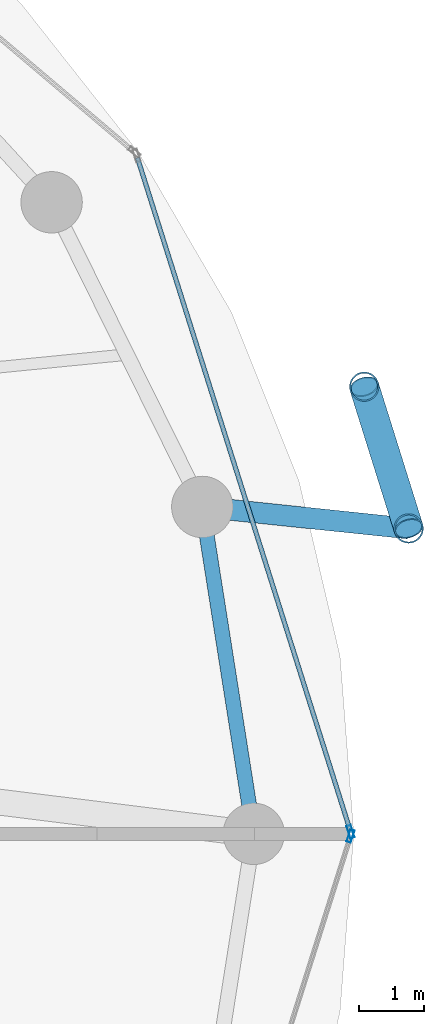
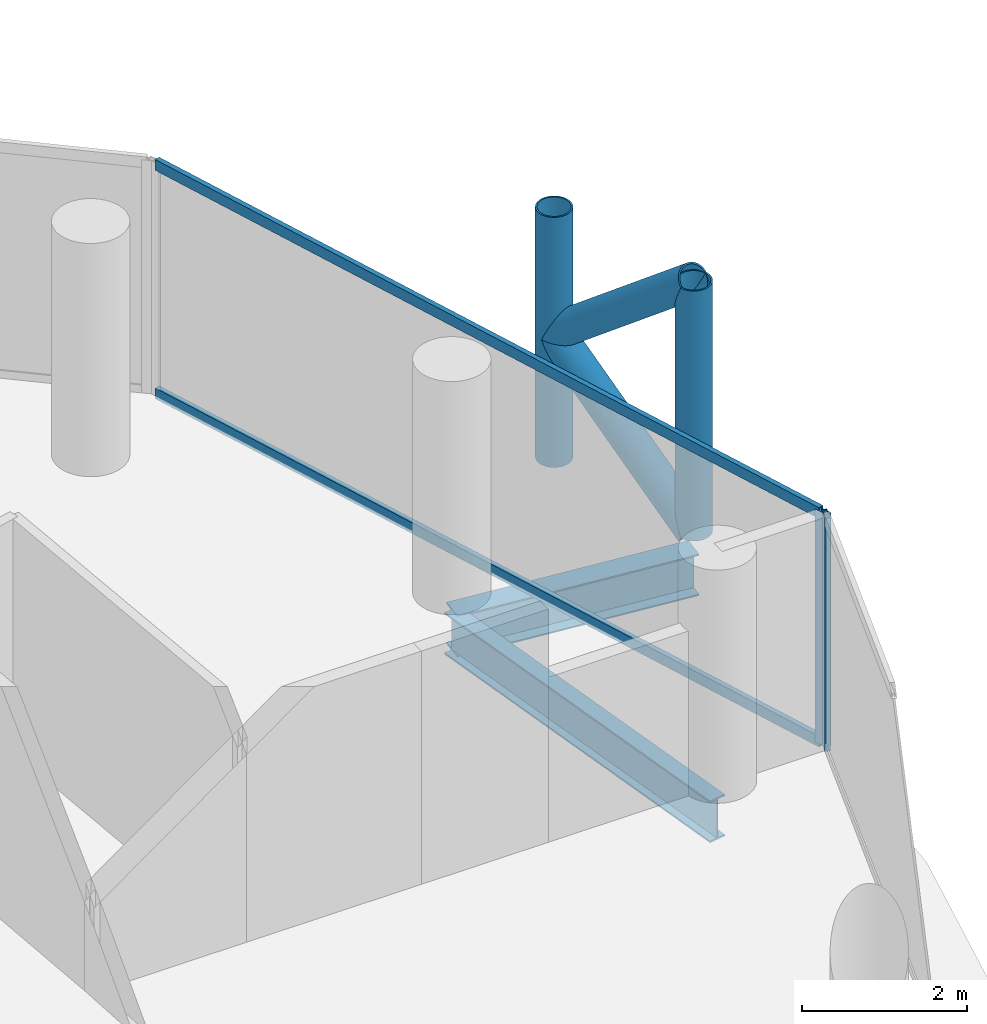
# One storey, part 12 of 26: 8 members, 2 beams, 2 elements without a shape of their own.
"""IFC4 building model written with IfcOpenShell, lengths in metres."""

from ifc_helpers import new_model, si_unit, direction, frame, origin, origin_2d, place, context, subcontext, project, spatial, hollow_rectangle, hollow_circle, i_section, extrude, material, layer, layer_set, material_profile, profile_set, type_object, element, aggregate, save


model = new_model("IFC4")

# Units and contexts
model_context = context("Model", 3, precision=1e-05, world=origin(), true_north=direction((0.0, 1.0)))
body_context = subcontext(model_context, "Body", "Model", "MODEL_VIEW")
ifc_project = project(units=[si_unit("LENGTHUNIT", "METRE"), si_unit("AREAUNIT", "SQUARE_METRE"), si_unit("VOLUMEUNIT", "CUBIC_METRE"), si_unit("PLANEANGLEUNIT", "RADIAN"), si_unit("MASSUNIT", "GRAM", prefix="KILO")], contexts=[model_context])

# Site, building, storey
site_placement = place(None, origin())
site = spatial("IfcSite", under=ifc_project, at=site_placement, CompositionType="ELEMENT")
building_placement = place(site_placement, origin())
building = spatial("IfcBuilding", under=site, at=building_placement, Name="Nuhasar Tower", CompositionType="ELEMENT")
storey_placement = place(building_placement, frame((0.0, 0.0, 177.449951171875)))
storey = spatial("IfcBuildingStorey", under=building, at=storey_placement, Name="L43", CompositionType="ELEMENT", Elevation=177.449951171875)

# Beams
ifc_material_1 = material(Name="Steel S355", Category="steel")
ifc_material_profile_1 = material_profile(ifc_material_1, i_section(OverallWidth=0.22998046875, OverallDepth=0.616943359375, WebThickness=0.01318359375, FlangeThickness=0.022216796875, at=origin_2d()), Name="W24X94")
ifc_profile_set_1 = profile_set([ifc_material_profile_1], Name="Steel S355")
beam_type_1 = type_object("IfcBeamType", Name="BM-RING-W24X94", PredefinedType="SPANDREL", material=ifc_profile_set_1)
beam_1_placement = place(storey_placement, frame((62.35009765625, 26.800048828125, -0.558837890625), z_axis=(-0.155426543608, 0.987847452566, 0.0), x_axis=(-0.987847452566, -0.155426543608, 0.0)))
element("IfcBeam", 1, at=beam_1_placement, inside=storey, type_object=beam_type_1, Name="L43 Perimeter Ring Spandrel 01", PredefinedType="SPANDREL", context=body_context, shape_type="SweptSolid", body=[
    extrude(i_section(OverallWidth=0.22998046875, OverallDepth=0.616943359375, WebThickness=0.01318359375, FlangeThickness=0.022216796875, at=origin_2d()), origin(), (0.0, 0.0, 1.0), 5.122314453125),
])
ifc_material_profile_2 = material_profile(ifc_material_1, i_section(OverallWidth=0.323974609375, OverallDepth=0.611083984375, WebThickness=0.0126953125, FlangeThickness=0.01904296875, at=origin_2d()), Name="W24X104")
ifc_profile_set_2 = profile_set([ifc_material_profile_2], Name="Steel S355")
beam_type_2 = type_object("IfcBeamType", Name="BM-TIE-W24X104", PredefinedType="BEAM", material=ifc_profile_set_2)
beam_2_placement = place(storey_placement, frame((61.553955078125, 31.860107421875, -0.555908203125), z_axis=(0.994569828715, -0.104071397654, 0.0), x_axis=(0.104071397654, 0.994569828715, 0.0)))
element("IfcBeam", 2, at=beam_2_placement, inside=storey, type_object=beam_type_2, Name="L43 Exoskeleton Node Tie Beam 01", PredefinedType="BEAM", context=body_context, shape_type="SweptSolid", body=[
    extrude(i_section(OverallWidth=0.323974609375, OverallDepth=0.611083984375, WebThickness=0.0126953125, FlangeThickness=0.01904296875, at=origin_2d()), origin(), (0.0, 0.0, 1.0), 3.21142578125),
])

# Curtain wall, member
ifc_material_2 = material(Name="Aluminium 6063-T6", Category="aluminium")
ifc_layer = layer(ifc_material_2, 0.199951171875)
ifc_layer_set = layer_set([ifc_layer], Name="Aluminium 6063-T6")
curtain_wall_type = type_object("IfcCurtainWallType", Name="CW-Z2-HTL", PredefinedType="NOTDEFINED", material=ifc_layer_set)
curtain_wall_1_placement = place(storey_placement, origin())
curtain_wall_1 = element("IfcCurtainWall", 3, at=curtain_wall_1_placement, inside=storey, type_object=curtain_wall_type, Name="L43 Unitised Curtain Wall 01", PredefinedType="NOTDEFINED")
ifc_material_profile_3 = material_profile(ifc_material_2, hollow_rectangle(XDim=0.070068359375, YDim=0.199951171875, WallThickness=0.0048828125, at=origin_2d()), Name="CWM-3")
ifc_profile_set_3 = profile_set([ifc_material_profile_3], Name="Aluminium 6063-T6")
member_type_1 = type_object("IfcMemberType", Name="CW-MUL-S3", PredefinedType="MULLION", material=ifc_profile_set_3)
member_1_placement = place(storey_placement, frame((63.849365234375, 26.833251953125, 0.0), z_axis=(0.0, 0.0, 1.0), x_axis=(-0.953433389233, -0.301603667577, 0.0)))
member_1 = element("IfcMember", 4, at=member_1_placement, type_object=member_type_1, Name="CW-Z2 mullion 1", PredefinedType="MULLION", context=body_context, shape_type="SweptSolid", body=[
    extrude(hollow_rectangle(XDim=0.070068359375, YDim=0.199951171875, WallThickness=0.0048828125, at=origin_2d()), origin(), (0.0, 0.0, 1.0), 3.449951171875),
])

curtain_wall_2_placement = place(storey_placement, origin())
curtain_wall_2 = element("IfcCurtainWall", 5, at=curtain_wall_2_placement, inside=storey, type_object=curtain_wall_type, Name="L43 Unitised Curtain Wall 12", PredefinedType="NOTDEFINED")
member_2_placement = place(storey_placement, frame((63.849365234375, 26.7666015625, 0.0), z_axis=(0.0, 0.0, 1.0), x_axis=(-0.953433389233, 0.301603667577, 0.0)))
member_2 = element("IfcMember", 6, at=member_2_placement, type_object=member_type_1, Name="CW-Z2 mullion 2", PredefinedType="MULLION", context=body_context, shape_type="SweptSolid", body=[
    extrude(hollow_rectangle(XDim=0.070068359375, YDim=0.199951171875, WallThickness=0.0048828125, at=origin_2d()), origin(), (0.0, 0.0, 1.0), 3.449951171875),
])
aggregate(curtain_wall_2, [member_2])

# Member
ifc_material_profile_4 = material_profile(ifc_material_2, hollow_rectangle(XDim=0.070068359375, YDim=0.159912109375, WallThickness=0.00439453125, at=origin_2d()), Name="CWT-3")
ifc_profile_set_4 = profile_set([ifc_material_profile_4], Name="Aluminium 6063-T6")
member_type_2 = type_object("IfcMemberType", Name="CW-TRN-S3", PredefinedType="USERDEFINED", material=ifc_profile_set_4)
member_3_placement = place(storey_placement, frame((63.8388671875, 26.86669921875, 0.03515625), z_axis=(-0.301608163352, 0.953431967053, 0.0), x_axis=(-0.953431967053, -0.301608163352, 0.0)))
member_3 = element("IfcMember", 7, at=member_3_placement, type_object=member_type_2, Name="CW-Z2 transom 1.1", ObjectType="TRANSOM", PredefinedType="USERDEFINED", context=body_context, shape_type="SweptSolid", body=[
    extrude(hollow_rectangle(XDim=0.070068359375, YDim=0.159912109375, WallThickness=0.00439453125, at=origin_2d()), origin(), (0.0, 0.0, 1.0), 10.904296875),
])

member_4_placement = place(storey_placement, frame((63.8388671875, 26.86669921875, 3.4150390625), z_axis=(-0.301608163352, 0.953431967053, 0.0), x_axis=(-0.953431967053, -0.301608163352, 0.0)))
member_4 = element("IfcMember", 8, at=member_4_placement, type_object=member_type_2, Name="CW-Z2 transom 1.2", ObjectType="TRANSOM", PredefinedType="USERDEFINED", context=body_context, shape_type="SweptSolid", body=[
    extrude(hollow_rectangle(XDim=0.070068359375, YDim=0.159912109375, WallThickness=0.00439453125, at=origin_2d()), origin(), (0.0, 0.0, 1.0), 10.904296875),
])

aggregate(curtain_wall_1, [member_1, member_3, member_4])

# Members
ifc_material_3 = material(Name="Steel S460", Category="steel")
ifc_material_profile_5 = material_profile(ifc_material_3, hollow_circle(Radius=0.228515625, WallThickness=0.022216796875, at=origin_2d()), Name="HSS457X22.2")
ifc_profile_set_5 = profile_set([ifc_material_profile_5], Name="Steel S460")
member_type_3 = type_object("IfcMemberType", Name="EXO-BRONZE-457", PredefinedType="BRACE", material=ifc_profile_set_5)
for number, where, z_axis, x_axis, name in (
    (9, (64.748046875, 31.52587890625, 0.0), (0.0, 0.0, 1.0), (1.0, 0.0, 0.0), "L43 Exoskeleton Chord Column EC-01A"),
    (10, (64.06005859375, 33.720947265625, 0.0), (0.0, 0.0, 1.0), (1.0, 0.0, 0.0), "L43 Exoskeleton Chord Column EC-01B"),
):
    element("IfcMember", number, at=place(storey_placement, frame(where, z_axis=z_axis, x_axis=x_axis)), inside=storey, type_object=member_type_3, Name=name, PredefinedType="BRACE", context=body_context, shape_type="SweptSolid", body=[
        extrude(hollow_circle(Radius=0.228515625, WallThickness=0.022216796875, at=origin_2d()), origin(), (0.0, 0.0, 1.0), 3.699951171875),
    ])
member_5_placement = place(storey_placement, frame((64.748046875, 31.52587890625, 0.0), z_axis=(-0.233055548538, 0.743577869731, 0.626719285599), x_axis=(-0.954228474306, -0.29907861646, 0.0)))
element("IfcMember", 11, at=member_5_placement, inside=storey, type_object=member_type_3, Name="L43 Bronze Diagrid Brace W1-01", PredefinedType="BRACE", context=body_context, shape_type="SweptSolid", body=[
    extrude(hollow_circle(Radius=0.228515625, WallThickness=0.022216796875, at=origin_2d()), origin(), (0.0, 0.0, 1.0), 2.9521484375),
])
member_6_placement = place(storey_placement, frame((64.06005859375, 33.720947265625, 1.85009765625), z_axis=(0.233067628236, -0.74361641074, 0.626669062861), x_axis=(0.954228474306, 0.29907861646, 0.0)))
element("IfcMember", 12, at=member_6_placement, inside=storey, type_object=member_type_3, Name="L43 Bronze Diagrid Brace W2-01", PredefinedType="BRACE", context=body_context, shape_type="SweptSolid", body=[
    extrude(hollow_circle(Radius=0.228515625, WallThickness=0.022216796875, at=origin_2d()), origin(), (0.0, 0.0, 1.0), 2.951904296875),
])

save(model, "model.ifc")
